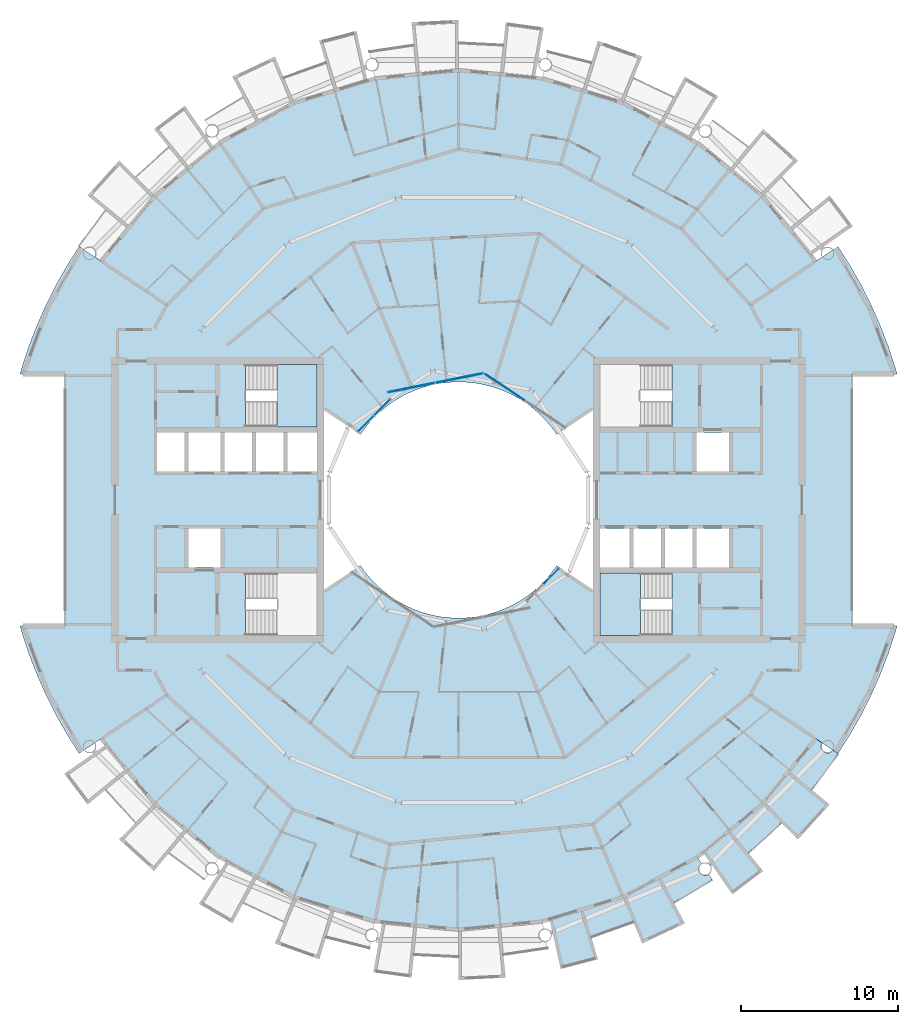
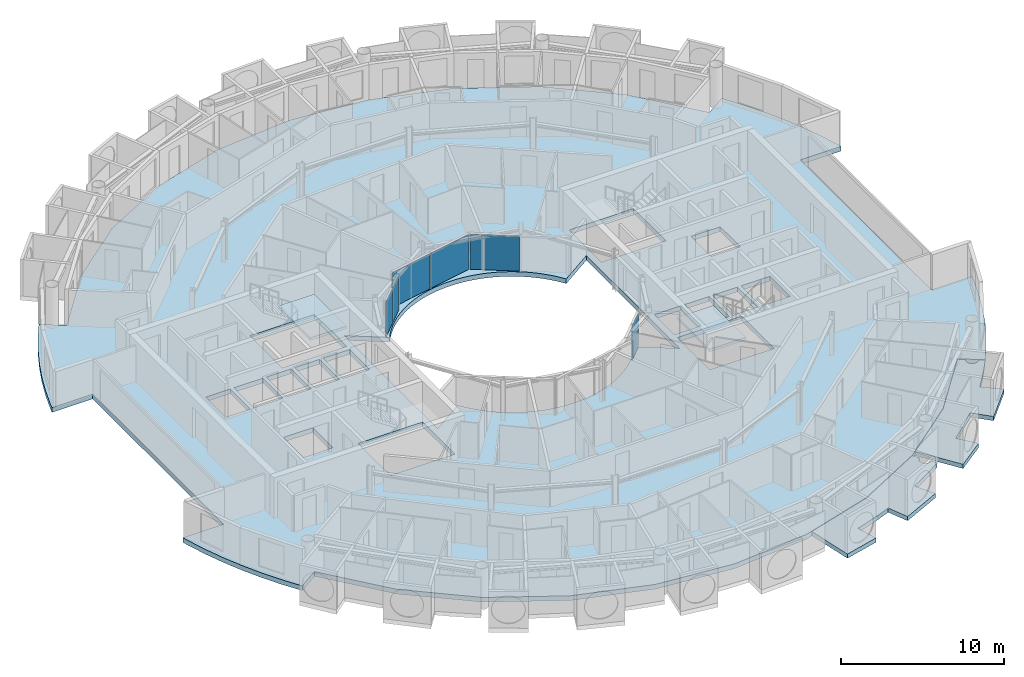
# One storey, part 12 of 29: 6 plates, 5 slabs, 6 elements without a shape of their own.
"""IFC4 building model written with IfcOpenShell, lengths in metres."""

import ifcopenshell
import ifcopenshell.guid

model = None  # the IFC model being written
_history = None  # IfcOwnerHistory: only IFC2X3 demands one
_inside = {}  # id of a spatial element -> (the spatial element, [elements in it])
_under = {}  # id of a project, library or spatial element -> (it, [spatial elements below it])
_declared = {}  # id of a project -> (the project, [libraries it declares])
_typed = {}  # id of a type object -> (the type object, [elements of that type])
_made_of = {}  # id of a material, layer set ... -> (it, [elements and type objects made of it])


def new_model(schema):
    """Start an empty IFC model of exactly this schema.

    Asked for "IFC4X3", IfcOpenShell would pick the latest addendum, in which some entities
    have other attributes; the version numbers below select the first issue.
    IFC2X3 requires an IfcOwnerHistory on every rooted entity: one is made here for all.
    """
    global model, _history
    if schema == "IFC4X3":
        model = ifcopenshell.file(schema_version=(4, 3, 0, 0))
    else:
        model = ifcopenshell.file(schema=schema)
    _inside.clear()
    _under.clear()
    _declared.clear()
    _typed.clear()
    _made_of.clear()
    _history = None
    if model.schema == "IFC2X3":
        org = make("IfcOrganization", Name="unknown")
        user = make(
            "IfcPersonAndOrganization",
            ThePerson=make("IfcPerson", FamilyName="unknown"),
            TheOrganization=org,
        )
        app = make(
            "IfcApplication",
            ApplicationDeveloper=org,
            Version="unknown",
            ApplicationFullName="unknown",
            ApplicationIdentifier="unknown",
        )
        _history = make(
            "IfcOwnerHistory",
            OwningUser=user,
            OwningApplication=app,
            ChangeAction="ADDED",
            CreationDate=0,
        )
    return model


def make(cls, **values):
    """One entity of the class cls with the attributes given. An attribute that is None is left unset."""
    return model.create_entity(
        cls, **{name: value for name, value in values.items() if value is not None}
    )


def rooted(cls, **values):
    """An entity with a GlobalId (a new one), such as an element, a storey or a relation."""
    return make(cls, GlobalId=ifcopenshell.guid.new(), OwnerHistory=_history, **values)


def si_unit(unit_type, name, prefix=None):
    """IfcSIUnit, for example si_unit("LENGTHUNIT", "METRE", prefix="MILLI")."""
    return make("IfcSIUnit", UnitType=unit_type, Prefix=prefix, Name=name)


def assignment(units):
    """IfcUnitAssignment: the units of a project."""
    return None if units is None else make("IfcUnitAssignment", Units=units)


def point(xyz):
    """IfcCartesianPoint."""
    return None if xyz is None else make("IfcCartesianPoint", Coordinates=xyz)


def direction(xyz):
    """IfcDirection."""
    return None if xyz is None else make("IfcDirection", DirectionRatios=xyz)


def frame(location, z_axis=None, x_axis=None):
    """IfcAxis2Placement3D, a coordinate frame: its origin and axes. An axis left out is left unset."""
    return make(
        "IfcAxis2Placement3D",
        Location=point(location),
        Axis=direction(z_axis),
        RefDirection=direction(x_axis),
    )


def frame_2d(location, x_axis=None):
    """IfcAxis2Placement2D, a coordinate frame in the plane: its origin and x axis."""
    return make(
        "IfcAxis2Placement2D", Location=point(location), RefDirection=direction(x_axis)
    )


def origin():
    """The frame at (0, 0, 0) with its axes left unset."""
    return frame((0.0, 0.0, 0.0))


def origin_2d():
    """The frame at (0, 0) in the plane with its x axis left unset."""
    return frame_2d((0.0, 0.0))


def place(relative_to, where):
    """IfcLocalPlacement: puts the frame where relative to a parent placement (None: the world)."""
    return make(
        "IfcLocalPlacement", PlacementRelTo=relative_to, RelativePlacement=where
    )


def context(
    kind, dimensions, precision=None, world=None, true_north=None, identifier=None
):
    """IfcGeometricRepresentationContext, for example the 3D "Model" context."""
    return make(
        "IfcGeometricRepresentationContext",
        ContextIdentifier=identifier,
        ContextType=kind,
        CoordinateSpaceDimension=dimensions,
        Precision=precision,
        WorldCoordinateSystem=world,
        TrueNorth=true_north,
    )


def subcontext(parent, identifier, kind, view, scale=None):
    """IfcGeometricRepresentationSubContext, for example "Body" below "Model"."""
    return make(
        "IfcGeometricRepresentationSubContext",
        ContextIdentifier=identifier,
        ContextType=kind,
        ParentContext=parent,
        TargetScale=scale,
        TargetView=view,
    )


def project(units=None, contexts=None):
    """IfcProject with its units and contexts."""
    return rooted(
        "IfcProject",
        Name="project",
        RepresentationContexts=contexts,
        UnitsInContext=assignment(units),
    )


def spatial(cls, under=None, at=None, **own):
    """A site, building, storey or space (cls), placed at a placement, below another one or the project."""
    s = rooted(cls, ObjectPlacement=at, **own)
    if under is not None:
        _under.setdefault(under.id(), (under, []))[1].append(s)
    return s


def polyline(points):
    """IfcPolyline through the points."""
    return make("IfcPolyline", Points=[point(p) for p in points])


def profile(cls, at=None, kind="AREA", **sizes):
    """A parametric profile (cls). Its sizes go by their IFC names, for example OverallWidth=200.0."""
    return make(cls, ProfileType=kind, Position=at, **sizes)


def rectangle(**sizes):
    """IfcRectangleProfileDef."""
    return profile("IfcRectangleProfileDef", **sizes)


def outline(outer, holes=None, kind="AREA"):
    """IfcArbitraryClosedProfileDef: a profile drawn as a closed curve; with holes, ...WithVoids."""
    if holes is None:
        return make("IfcArbitraryClosedProfileDef", ProfileType=kind, OuterCurve=outer)
    return make(
        "IfcArbitraryProfileDefWithVoids",
        ProfileType=kind,
        OuterCurve=outer,
        InnerCurves=holes,
    )


def extrude(swept, where, along, depth):
    """IfcExtrudedAreaSolid: the profile swept, set in the frame where, extruded along a direction by depth."""
    return make(
        "IfcExtrudedAreaSolid",
        SweptArea=swept,
        Position=where,
        ExtrudedDirection=direction(along),
        Depth=depth,
    )


def shape(context_of_items, identifier, shape_type, items):
    """IfcShapeRepresentation: the items that make up one representation, for example the "Body"."""
    return make(
        "IfcShapeRepresentation",
        ContextOfItems=context_of_items,
        RepresentationIdentifier=identifier,
        RepresentationType=shape_type,
        Items=items,
    )


def material(Name=None, Category=None):
    """IfcMaterial."""
    return make("IfcMaterial", Name=Name, Category=Category)


def layer(
    of_material, thickness, ventilated=None, Name=None, Category=None, Priority=None
):
    """IfcMaterialLayer: one layer of a wall or slab, of a material (None: an air gap)."""
    return make(
        "IfcMaterialLayer",
        Material=of_material,
        LayerThickness=thickness,
        IsVentilated=ventilated,
        Name=Name,
        Category=Category,
        Priority=Priority,
    )


def layer_set(layers, Name=None):
    """IfcMaterialLayerSet."""
    return make("IfcMaterialLayerSet", MaterialLayers=layers, LayerSetName=Name)


def made_of(thing, what):
    """Note that an element or type object is made of a material, layer set ...; save() writes the relation."""
    if what is not None:
        _made_of.setdefault(what.id(), (what, []))[1].append(thing)
    return thing


def type_object(cls, material=None, **own):
    """A type object (cls), such as IfcWallType, which elements share."""
    return made_of(rooted(cls, **own), material)


def element(
    cls,
    number,
    at=None,
    inside=None,
    cuts=None,
    type_object=None,
    material=None,
    context=None,
    identifier="Body",
    shape_type=None,
    held_by="IfcProductDefinitionShape",
    body=None,
    shapes=None,
    **own,
):
    """One element of the class cls, such as IfcWall. Its Tag is "e" and its number.

    at: its placement. inside: the storey or other place that contains it. cuts: it is an
    opening in that element (IfcRelVoidsElement). A single representation is given by context,
    identifier, shape_type and body (its items); several are given by shapes. held_by: the class
    of the entity that holds the representations. save() writes the other relations.
    """
    e = rooted(cls, Tag="e%d" % number, ObjectPlacement=at, **own)
    if body is not None:
        shapes = [shape(context, identifier, shape_type, body)]
    if shapes is not None:
        e.Representation = make(held_by, Representations=shapes)
    if inside is not None:
        _inside.setdefault(inside.id(), (inside, []))[1].append(e)
    if cuts is not None:
        rooted(
            "IfcRelVoidsElement", RelatingBuildingElement=cuts, RelatedOpeningElement=e
        )
    if type_object is not None:
        _typed.setdefault(type_object.id(), (type_object, []))[1].append(e)
    return made_of(e, material)


def aggregate(whole, parts):
    """IfcRelAggregates: a whole, such as a stair, and the parts it consists of."""
    return rooted("IfcRelAggregates", RelatingObject=whole, RelatedObjects=parts)


def save(model, path):
    """Write the relations noted so far, then the file.

    IfcRelAggregates (storeys below a building ...), IfcRelContainedInSpatialStructure (elements
    in a storey), IfcRelDefinesByType, IfcRelAssociatesMaterial and IfcRelDeclares: one each for
    every whole, place, type object, material and project.
    """
    for whole, parts in _under.values():
        aggregate(whole, parts)
    for where, things in _inside.values():
        rooted(
            "IfcRelContainedInSpatialStructure",
            RelatedElements=things,
            RelatingStructure=where,
        )
    for kind, things in _typed.values():
        rooted("IfcRelDefinesByType", RelatedObjects=things, RelatingType=kind)
    for what, things in _made_of.values():
        rooted("IfcRelAssociatesMaterial", RelatedObjects=things, RelatingMaterial=what)
    for by, libraries in _declared.values():
        rooted("IfcRelDeclares", RelatingContext=by, RelatedDefinitions=libraries)
    model.write(path)


model = new_model("IFC4")

# Units and contexts
model_context = context("Model", 3, precision=1e-05, world=origin(), true_north=direction((0.0, 1.0)))
body_context = subcontext(model_context, "Body", "Model", "MODEL_VIEW")
ifc_project = project(units=[si_unit("LENGTHUNIT", "METRE"), si_unit("AREAUNIT", "SQUARE_METRE"), si_unit("VOLUMEUNIT", "CUBIC_METRE"), si_unit("PLANEANGLEUNIT", "RADIAN"), si_unit("MASSUNIT", "GRAM", prefix="KILO")], contexts=[model_context])

# Site, building, storey
site_placement = place(None, origin())
site = spatial("IfcSite", under=ifc_project, at=site_placement, CompositionType="ELEMENT")
building_placement = place(site_placement, origin())
building = spatial("IfcBuilding", under=site, at=building_placement, Name="Maasbend Ring Residences", CompositionType="ELEMENT")
storey_placement = place(building_placement, frame((0.0, 0.0, 205.449951171875)))
storey = spatial("IfcBuildingStorey", under=building, at=storey_placement, Name="L59", CompositionType="ELEMENT", Elevation=205.449951171875)

# Stair, slab
ifc_material_1 = material(Name="Concrete C40/50", Category="concrete")
stair_type = type_object("IfcStairType", Name="CORE STAIR 18 RISERS", PredefinedType="HALF_TURN_STAIR", material=ifc_material_1)
stair_1_placement = place(storey_placement, origin())
stair_1 = element("IfcStair", 1, at=stair_1_placement, inside=storey, type_object=stair_type, Name="L59 Exit stair ST-E2", PredefinedType="HALF_TURN_STAIR")
ifc_material_2 = material(Name="Concrete C40/50", Category="concrete")
ifc_layer_1 = layer(ifc_material_2, 0.199951171875)
ifc_layer_set_1 = layer_set([ifc_layer_1], Name="Concrete C40/50")
slab_type_1 = type_object("IfcSlabType", Name="CORE STAIR LANDING 200", PredefinedType="LANDING", material=ifc_layer_set_1)
slab_1_placement = place(storey_placement, frame((0.0, 0.0, 1.324951171875)))
slab_1 = element("IfcSlab", 2, at=slab_1_placement, type_object=slab_type_1, Name="ST-E2 landing 1", PredefinedType="LANDING", context=body_context, shape_type="SweptSolid", body=[
    extrude(outline(polyline([(11.550048828125, -4.64990234375), (9.0, -4.64990234375), (9.0, -8.60009765625), (11.550048828125, -8.60009765625), (11.550048828125, -4.64990234375)])), origin(), (0.0, 0.0, 1.0), 0.2001953125),
])
aggregate(stair_1, [slab_1])

stair_2_placement = place(storey_placement, origin())
stair_2 = element("IfcStair", 3, at=stair_2_placement, inside=storey, type_object=stair_type, Name="L59 Exit stair ST-W2", PredefinedType="HALF_TURN_STAIR")
slab_2_placement = place(storey_placement, frame((0.0, 0.0, 1.324951171875)))
slab_2 = element("IfcSlab", 4, at=slab_2_placement, type_object=slab_type_1, Name="ST-W2 landing 1", PredefinedType="LANDING", context=body_context, shape_type="SweptSolid", body=[
    extrude(outline(polyline([(-11.550048828125, 4.64990234375), (-9.0, 4.64990234375), (-9.0, 8.60009765625), (-11.550048828125, 8.60009765625), (-11.550048828125, 4.64990234375)])), origin(), (0.0, 0.0, 1.0), 0.2001953125),
])
aggregate(stair_2, [slab_2])

# Curtain wall, plate
ifc_material_3 = material(Name="Aluminium and clear glass", Category="aluminium")
ifc_layer_2 = layer(ifc_material_3, 0.179931640625)
ifc_layer_set_2 = layer_set([ifc_layer_2], Name="CW-W")
curtain_wall_type = type_object("IfcCurtainWallType", Name="CW-W", PredefinedType="NOTDEFINED", material=ifc_layer_set_2)
curtain_wall_1_placement = place(storey_placement, origin())
curtain_wall_1 = element("IfcCurtainWall", 5, at=curtain_wall_1_placement, inside=storey, type_object=curtain_wall_type, Name="Well curtain wall N1", PredefinedType="NOTDEFINED")
ifc_material_4 = material(Name="Glass clear laminated", Category="glass")
ifc_layer_3 = layer(ifc_material_4, 0.031982421875)
ifc_layer_set_3 = layer_set([ifc_layer_3], Name="CWP-W")
plate_type = type_object("IfcPlateType", Name="CWP-W", PredefinedType="CURTAIN_PANEL", material=ifc_layer_set_3)
plate_1_placement = place(storey_placement, frame((2.922119140625, 7.17578125, 0.0), z_axis=(0.0, 0.0, 1.0), x_axis=(-0.831469612303, 0.55557023302, 0.0)))
plate_1 = element("IfcPlate", 6, at=plate_1_placement, type_object=plate_type, Name="Glass panel well face", PredefinedType="CURTAIN_PANEL", context=body_context, shape_type="SweptSolid", body=[
    extrude(rectangle(XDim=3.053955078125, YDim=0.031982421875, at=origin_2d()), origin(), (0.0, 0.0, 1.0), 2.580078125),
])
aggregate(curtain_wall_1, [plate_1])

# Curtain wall, plates
curtain_wall_2_placement = place(storey_placement, origin())
curtain_wall_2 = element("IfcCurtainWall", 7, at=curtain_wall_2_placement, inside=storey, type_object=curtain_wall_type, Name="Well curtain wall N2", PredefinedType="NOTDEFINED")
plate_2_placement = place(storey_placement, frame((0.04638671875, 7.747802734375, 0.0), z_axis=(0.0, 0.0, 1.0), x_axis=(-0.980785280403, -0.195090322016, 0.0)))
plate_2 = element("IfcPlate", 8, at=plate_2_placement, type_object=plate_type, Name="Glass panel well face", PredefinedType="CURTAIN_PANEL", context=body_context, shape_type="SweptSolid", body=[
    extrude(rectangle(XDim=3.053955078125, YDim=0.031982421875, at=origin_2d()), origin(), (0.0, 0.0, 1.0), 2.580078125),
])
plate_3_placement = place(storey_placement, frame((-3.0078125, 7.140380859375, 0.0), z_axis=(0.0, 0.0, 1.0), x_axis=(-0.980785280403, -0.195090322016, 0.0)))
plate_3 = element("IfcPlate", 9, at=plate_3_placement, type_object=plate_type, Name="Glass panel well face", PredefinedType="CURTAIN_PANEL", context=body_context, shape_type="SweptSolid", body=[
    extrude(rectangle(XDim=3.053955078125, YDim=0.031982421875, at=origin_2d()), origin(), (0.0, 0.0, 1.0), 2.580078125),
])
aggregate(curtain_wall_2, [plate_2, plate_3])

curtain_wall_3_placement = place(storey_placement, origin())
curtain_wall_3 = element("IfcCurtainWall", 10, at=curtain_wall_3_placement, inside=storey, type_object=curtain_wall_type, Name="Well curtain wall N3", PredefinedType="NOTDEFINED")
plate_4_placement = place(storey_placement, frame((-4.84375, 5.89013671875, 0.0), z_axis=(0.0, 0.0, 1.0), x_axis=(-0.707106781187, -0.707106781187, 0.0)))
plate_4 = element("IfcPlate", 11, at=plate_4_placement, type_object=plate_type, Name="Glass panel well face", PredefinedType="CURTAIN_PANEL", context=body_context, shape_type="SweptSolid", body=[
    extrude(rectangle(XDim=1.419677734375, YDim=0.031982421875, at=origin_2d()), origin(), (0.0, 0.0, 1.0), 2.580078125),
])
plate_5_placement = place(storey_placement, frame((-5.89013671875, 4.84375, 0.0), z_axis=(0.0, 0.0, 1.0), x_axis=(-0.707106781187, -0.707106781187, 0.0)))
plate_5 = element("IfcPlate", 12, at=plate_5_placement, type_object=plate_type, Name="Glass panel well face", PredefinedType="CURTAIN_PANEL", context=body_context, shape_type="SweptSolid", body=[
    extrude(rectangle(XDim=1.419677734375, YDim=0.031982421875, at=origin_2d()), origin(), (0.0, 0.0, 1.0), 2.580078125),
])
aggregate(curtain_wall_3, [plate_4, plate_5])

# Curtain wall, plate
curtain_wall_4_placement = place(storey_placement, origin())
curtain_wall_4 = element("IfcCurtainWall", 13, at=curtain_wall_4_placement, inside=storey, type_object=curtain_wall_type, Name="Well curtain wall S3", PredefinedType="NOTDEFINED")
plate_6_placement = place(storey_placement, frame((5.89013671875, -4.84375, 0.0), z_axis=(0.0, 0.0, 1.0), x_axis=(0.707106781187, 0.707106781187, 0.0)))
plate_6 = element("IfcPlate", 14, at=plate_6_placement, type_object=plate_type, Name="Glass panel well face", PredefinedType="CURTAIN_PANEL", context=body_context, shape_type="SweptSolid", body=[
    extrude(rectangle(XDim=1.419677734375, YDim=0.031982421875, at=origin_2d()), origin(), (0.0, 0.0, 1.0), 2.580078125),
])
aggregate(curtain_wall_4, [plate_6])

# Slabs
ifc_material_5 = material(Name="Concrete C40/50", Category="concrete")
ifc_layer_4 = layer(ifc_material_5, 0.35009765625)
ifc_layer_set_4 = layer_set([ifc_layer_4], Name="Concrete C40/50")
slab_type_2 = type_object("IfcSlabType", Name="Post-tensioned flat plate 350", PredefinedType="FLOOR", material=ifc_layer_set_4)
slab_3_placement = place(storey_placement, frame((0.0, 0.0, -0.349853515625)))
element("IfcSlab", 15, at=slab_3_placement, inside=storey, type_object=slab_type_2, Name="Floor slab L59", PredefinedType="FLOOR", context=body_context, shape_type="SweptSolid", body=[
    extrude(outline(polyline([(24.8740234375, -14.908935546875), (25.57568359375, -13.67041015625), (26.2158203125, -12.399169921875), (26.79248046875, -11.097900390625), (27.3046875, -9.769775390625), (27.751220703125, -8.418212890625), (27.866943359375, -8.0), (25.0, -8.0), (25.0, 8.0), (27.866943359375, 8.0), (27.751220703125, 8.418212890625), (27.3046875, 9.769775390625), (26.79248046875, 11.097900390625), (26.2158203125, 12.399169921875), (25.57568359375, 13.67041015625), (24.8740234375, 14.908935546875), (24.112548828125, 16.111572265625), (22.69921875, 15.1669921875), (19.303955078125, 19.303955078125), (15.1669921875, 22.69921875), (10.447265625, 25.221923828125), (5.325927734375, 26.775390625), (0.0, 27.300048828125), (-5.325927734375, 26.775390625), (-10.447265625, 25.221923828125), (-15.1669921875, 22.69921875), (-19.303955078125, 19.303955078125), (-22.69921875, 15.1669921875), (-24.112548828125, 16.111572265625), (-24.8740234375, 14.908935546875), (-25.57568359375, 13.67041015625), (-26.2158203125, 12.399169921875), (-26.79248046875, 11.097900390625), (-27.3046875, 9.769775390625), (-27.751220703125, 8.418212890625), (-27.866943359375, 8.0), (-25.0, 8.0), (-25.0, -8.0), (-27.866943359375, -8.0), (-27.751220703125, -8.418212890625), (-27.3046875, -9.769775390625), (-26.79248046875, -11.097900390625), (-26.2158203125, -12.399169921875), (-25.57568359375, -13.67041015625), (-24.8740234375, -14.908935546875), (-24.112548828125, -16.111572265625), (-22.69921875, -15.1669921875), (-19.303955078125, -19.303955078125), (-15.1669921875, -22.69921875), (-10.447265625, -25.221923828125), (-5.325927734375, -26.775390625), (0.0, -27.300048828125), (5.325927734375, -26.775390625), (10.447265625, -25.221923828125), (15.1669921875, -22.69921875), (19.303955078125, -19.303955078125), (22.69921875, -15.1669921875), (24.112548828125, -16.111572265625), (24.8740234375, -14.908935546875)]), holes=[polyline([(15.125, 1.824951171875), (15.125, 4.27490234375), (17.175048828125, 4.27490234375), (17.175048828125, 1.824951171875), (15.125, 1.824951171875)]), polyline([(15.125, -4.27490234375), (15.125, -1.824951171875), (17.175048828125, -1.824951171875), (17.175048828125, -4.27490234375), (15.125, -4.27490234375)]), polyline([(13.125, -4.27490234375), (13.125, -1.824951171875), (14.875, -1.824951171875), (14.875, -4.27490234375), (13.125, -4.27490234375)]), polyline([(13.550048828125, 8.60009765625), (13.550048828125, 4.64990234375), (9.0, 4.64990234375), (9.0, 8.60009765625), (13.550048828125, 8.60009765625)]), polyline([(13.550048828125, -4.64990234375), (13.550048828125, -8.60009765625), (9.0, -8.60009765625), (9.0, -4.64990234375), (13.550048828125, -4.64990234375)]), polyline([(11.125, -4.27490234375), (11.125, -1.824951171875), (12.875, -1.824951171875), (12.875, -4.27490234375), (11.125, -4.27490234375)]), polyline([(9.0, -4.27490234375), (9.0, -1.824951171875), (10.875, -1.824951171875), (10.875, -4.27490234375), (9.0, -4.27490234375)]), polyline([(6.024169921875, 4.4677734375), (6.236083984375, 4.166748046875), (8.550048828125, 5.712890625), (8.550048828125, -5.712890625), (6.236083984375, -4.166748046875), (6.024169921875, -4.4677734375), (5.797607421875, -4.7578125), (5.55712890625, -5.03662109375), (5.30322265625, -5.30322265625), (5.03662109375, -5.55712890625), (4.7578125, -5.797607421875), (4.4677734375, -6.024169921875), (4.166748046875, -6.236083984375), (3.855712890625, -6.43310546875), (3.535400390625, -6.614501953125), (3.206787109375, -6.77978515625), (2.8701171875, -6.92919921875), (2.526611328125, -7.0615234375), (2.177001953125, -7.177001953125), (1.822509765625, -7.275146484375), (1.463134765625, -7.35595703125), (1.1005859375, -7.418701171875), (0.735107421875, -7.4638671875), (0.367919921875, -7.490966796875), (0.0, -7.5), (-0.367919921875, -7.490966796875), (-0.735107421875, -7.4638671875), (-1.1005859375, -7.418701171875), (-1.463134765625, -7.35595703125), (-1.822509765625, -7.275146484375), (-2.177001953125, -7.177001953125), (-2.526611328125, -7.0615234375), (-2.8701171875, -6.92919921875), (-3.206787109375, -6.77978515625), (-3.535400390625, -6.614501953125), (-3.855712890625, -6.43310546875), (-4.166748046875, -6.236083984375), (-4.4677734375, -6.024169921875), (-4.7578125, -5.797607421875), (-5.03662109375, -5.55712890625), (-5.30322265625, -5.30322265625), (-5.55712890625, -5.03662109375), (-5.797607421875, -4.7578125), (-6.024169921875, -4.4677734375), (-6.236083984375, -4.166748046875), (-8.550048828125, -5.712890625), (-8.550048828125, 5.712890625), (-6.236083984375, 4.166748046875), (-6.024169921875, 4.4677734375), (-5.797607421875, 4.7578125), (-5.55712890625, 5.03662109375), (-5.30322265625, 5.30322265625), (-5.03662109375, 5.55712890625), (-4.7578125, 5.797607421875), (-4.4677734375, 6.024169921875), (-4.166748046875, 6.236083984375), (-3.855712890625, 6.43310546875), (-3.535400390625, 6.614501953125), (-3.206787109375, 6.77978515625), (-2.8701171875, 6.92919921875), (-2.526611328125, 7.0615234375), (-2.177001953125, 7.177001953125), (-1.822509765625, 7.275146484375), (-1.463134765625, 7.35595703125), (-1.1005859375, 7.418701171875), (-0.735107421875, 7.4638671875), (-0.367919921875, 7.490966796875), (0.0, 7.5), (0.367919921875, 7.490966796875), (0.735107421875, 7.4638671875), (1.1005859375, 7.418701171875), (1.463134765625, 7.35595703125), (1.822509765625, 7.275146484375), (2.177001953125, 7.177001953125), (2.526611328125, 7.0615234375), (2.8701171875, 6.92919921875), (3.206787109375, 6.77978515625), (3.535400390625, 6.614501953125), (3.855712890625, 6.43310546875), (4.166748046875, 6.236083984375), (4.4677734375, 6.024169921875), (4.7578125, 5.797607421875), (5.03662109375, 5.55712890625), (5.30322265625, 5.30322265625), (5.55712890625, 5.03662109375), (5.797607421875, 4.7578125), (6.024169921875, 4.4677734375)]), polyline([(-13.550048828125, 4.64990234375), (-13.550048828125, 8.60009765625), (-9.0, 8.60009765625), (-9.0, 4.64990234375), (-13.550048828125, 4.64990234375)]), polyline([(-9.0, -8.60009765625), (-13.550048828125, -8.60009765625), (-13.550048828125, -4.64990234375), (-9.0, -4.64990234375), (-9.0, -8.60009765625)]), polyline([(-9.0, 4.27490234375), (-9.0, 1.824951171875), (-10.875, 1.824951171875), (-10.875, 4.27490234375), (-9.0, 4.27490234375)]), polyline([(-11.125, 4.27490234375), (-11.125, 1.824951171875), (-12.875, 1.824951171875), (-12.875, 4.27490234375), (-11.125, 4.27490234375)]), polyline([(-13.125, 4.27490234375), (-13.125, 1.824951171875), (-14.875, 1.824951171875), (-14.875, 4.27490234375), (-13.125, 4.27490234375)]), polyline([(-15.125, 4.27490234375), (-15.125, 1.824951171875), (-17.175048828125, 1.824951171875), (-17.175048828125, 4.27490234375), (-15.125, 4.27490234375)]), polyline([(-15.125, -1.824951171875), (-15.125, -4.27490234375), (-17.175048828125, -4.27490234375), (-17.175048828125, -1.824951171875), (-15.125, -1.824951171875)]), polyline([(-17.425048828125, 4.27490234375), (-17.425048828125, 1.824951171875), (-19.14990234375, 1.824951171875), (-19.14990234375, 4.27490234375), (-17.425048828125, 4.27490234375)])]), origin(), (0.0, 0.0, 1.0), 0.349853515625),
])
ifc_material_6 = material(Name="Concrete C40/50", Category="concrete")
ifc_layer_5 = layer(ifc_material_6, 0.199951171875)
ifc_layer_set_5 = layer_set([ifc_layer_5], Name="Concrete C40/50")
slab_type_3 = type_object("IfcSlabType", Name="SL-LOGGIA", PredefinedType="FLOOR", material=ifc_layer_set_5)
slab_4_placement = place(storey_placement, frame((0.0, 0.0, -0.349853515625)))
element("IfcSlab", 16, at=slab_4_placement, inside=storey, type_object=slab_type_3, Name="Loggia floor 1", PredefinedType="FLOOR", context=body_context, shape_type="SweptSolid", body=[
    extrude(outline(polyline([(10.447021484375, -25.221923828125), (12.806884765625, -23.9609375), (15.1669921875, -22.698974609375), (15.1669921875, -22.698974609375), (15.1669921875, -22.698974609375), (15.44091796875, -23.10888671875), (15.43310546875, -23.114990234375), (15.425048828125, -23.12109375), (15.4169921875, -23.126953125), (15.408935546875, -23.133056640625), (15.402099609375, -23.139892578125), (15.39404296875, -23.14599609375), (15.386962890625, -23.153076171875), (15.3798828125, -23.159912109375), (15.373046875, -23.1669921875), (15.365966796875, -23.174072265625), (15.35888671875, -23.181884765625), (15.35302734375, -23.18994140625), (15.346923828125, -23.197021484375), (15.341064453125, -23.205078125), (15.3349609375, -23.212890625), (15.3291015625, -23.221923828125), (15.323974609375, -23.22998046875), (15.318115234375, -23.238037109375), (15.31298828125, -23.2470703125), (15.30908203125, -23.256103515625), (15.303955078125, -23.264892578125), (15.300048828125, -23.27392578125), (15.294921875, -23.282958984375), (15.2919921875, -23.2919921875), (15.2880859375, -23.301025390625), (15.283935546875, -23.31005859375), (15.281005859375, -23.320068359375), (15.278076171875, -23.3291015625), (15.27490234375, -23.339111328125), (15.27294921875, -23.34912109375), (15.27001953125, -23.35791015625), (15.26806640625, -23.367919921875), (15.26708984375, -23.3779296875), (15.264892578125, -23.387939453125), (15.263916015625, -23.39794921875), (15.262939453125, -23.407958984375), (15.261962890625, -23.4169921875), (15.260986328125, -23.427001953125), (15.260986328125, -23.43701171875), (15.260986328125, -23.447021484375), (15.260986328125, -23.45703125), (15.260986328125, -23.467041015625), (15.261962890625, -23.47705078125), (15.262939453125, -23.487060546875), (15.263916015625, -23.4970703125), (15.264892578125, -23.507080078125), (15.26708984375, -23.51708984375), (15.26806640625, -23.527099609375), (15.27001953125, -23.535888671875), (15.27294921875, -23.5458984375), (15.27490234375, -23.555908203125), (15.278076171875, -23.56494140625), (15.281005859375, -23.574951171875), (15.283935546875, -23.583984375), (15.2880859375, -23.593994140625), (15.2919921875, -23.60302734375), (15.294921875, -23.612060546875), (15.300048828125, -23.62109375), (15.303955078125, -23.6298828125), (15.30908203125, -23.638916015625), (15.31298828125, -23.64794921875), (15.318115234375, -23.656005859375), (15.323974609375, -23.6650390625), (15.3291015625, -23.673095703125), (15.3349609375, -23.680908203125), (15.341064453125, -23.68994140625), (15.346923828125, -23.697021484375), (15.35302734375, -23.705078125), (15.35888671875, -23.712890625), (15.365966796875, -23.719970703125), (15.373046875, -23.72802734375), (15.3798828125, -23.735107421875), (15.386962890625, -23.741943359375), (15.39404296875, -23.7490234375), (15.402099609375, -23.7548828125), (15.408935546875, -23.761962890625), (15.4169921875, -23.76806640625), (15.425048828125, -23.77392578125), (15.43310546875, -23.780029296875), (15.44091796875, -23.784912109375), (15.449951171875, -23.791015625), (15.4580078125, -23.7958984375), (15.467041015625, -23.801025390625), (15.47509765625, -23.805908203125), (15.48388671875, -23.81005859375), (15.492919921875, -23.81494140625), (15.501953125, -23.819091796875), (15.511962890625, -23.822998046875), (15.52099609375, -23.826904296875), (15.530029296875, -23.830078125), (15.5400390625, -23.8330078125), (15.549072265625, -23.8359375), (15.55908203125, -23.839111328125), (15.568115234375, -23.842041015625), (15.577880859375, -23.843994140625), (15.587890625, -23.845947265625), (15.597900390625, -23.847900390625), (15.60693359375, -23.85009765625), (15.616943359375, -23.85107421875), (15.626953125, -23.85205078125), (15.636962890625, -23.85302734375), (15.64697265625, -23.85302734375), (15.656982421875, -23.85400390625), (15.6669921875, -23.85400390625), (15.677001953125, -23.85400390625), (15.68701171875, -23.85302734375), (15.697021484375, -23.85302734375), (15.70703125, -23.85205078125), (15.717041015625, -23.85107421875), (15.72705078125, -23.85009765625), (15.737060546875, -23.847900390625), (15.74609375, -23.845947265625), (15.756103515625, -23.843994140625), (15.76611328125, -23.842041015625), (15.77587890625, -23.839111328125), (15.784912109375, -23.8359375), (15.794921875, -23.8330078125), (15.803955078125, -23.830078125), (15.81298828125, -23.826904296875), (15.822998046875, -23.822998046875), (15.83203125, -23.819091796875), (15.841064453125, -23.81494140625), (15.85009765625, -23.81005859375), (15.85888671875, -23.805908203125), (15.866943359375, -23.801025390625), (15.8759765625, -23.7958984375), (15.885009765625, -23.791015625), (15.89306640625, -23.784912109375), (16.112060546875, -24.113037109375), (16.112060546875, -24.113037109375), (16.112060546875, -24.113037109375), (15.31396484375, -24.626953125), (15.31396484375, -24.626953125), (14.5, -25.114990234375), (14.5, -25.114990234375), (13.6708984375, -25.574951171875), (13.6708984375, -25.575927734375), (13.6708984375, -25.575927734375), (13.6708984375, -25.575927734375), (13.6708984375, -25.575927734375), (13.6708984375, -25.575927734375), (13.6708984375, -25.575927734375), (13.6708984375, -25.575927734375), (13.6708984375, -25.575927734375), (13.6708984375, -25.575927734375), (13.6708984375, -25.575927734375), (13.6708984375, -25.575927734375), (13.6708984375, -25.575927734375), (13.6708984375, -25.575927734375), (13.6708984375, -25.575927734375), (13.6708984375, -25.575927734375), (13.6708984375, -25.575927734375), (14.3779296875, -26.89892578125), (14.3779296875, -26.89892578125), (14.3779296875, -26.89892578125), (11.672119140625, -28.177978515625), (11.672119140625, -28.177978515625), (11.672119140625, -28.177978515625), (11.097900390625, -26.79296875), (11.097900390625, -26.79296875), (11.097900390625, -26.79296875), (11.097900390625, -26.79296875), (11.097900390625, -26.79296875), (11.097900390625, -26.79296875), (11.097900390625, -26.79296875), (11.097900390625, -26.79296875), (11.097900390625, -26.79296875), (11.097900390625, -26.79296875), (11.097900390625, -26.79296875), (11.097900390625, -26.79296875), (11.097900390625, -26.79296875), (11.097900390625, -26.79296875), (11.096923828125, -26.79296875), (11.096923828125, -26.79296875), (11.096923828125, -26.79296875), (10.215087890625, -27.14111328125), (10.215087890625, -27.14111328125), (9.322021484375, -27.4609375), (9.322021484375, -27.4609375), (8.4189453125, -27.7509765625), (8.4189453125, -27.7509765625), (8.4189453125, -27.7509765625), (8.4189453125, -27.7509765625), (8.4189453125, -27.7509765625), (8.4189453125, -27.7509765625), (8.41796875, -27.7509765625), (8.41796875, -27.7509765625), (8.41796875, -27.7509765625), (8.41796875, -27.7509765625), (8.41796875, -27.7509765625), (8.41796875, -27.751953125), (8.41796875, -27.751953125), (8.41796875, -27.751953125), (8.41796875, -27.751953125), (8.41796875, -27.751953125), (8.41796875, -27.751953125), (8.85400390625, -29.18701171875), (8.85400390625, -29.18701171875), (8.85400390625, -29.18701171875), (6.487060546875, -29.802001953125), (6.487060546875, -29.802001953125), (6.487060546875, -29.802001953125), (5.797119140625, -26.633056640625), (5.797119140625, -26.633056640625), (5.797119140625, -26.633056640625), (7.886962890625, -25.9990234375), (10.447021484375, -25.221923828125), (10.447021484375, -25.221923828125), (10.447021484375, -25.221923828125)])), origin(), (0.0, 0.0, 1.0), 0.31982421875),
])
slab_5_placement = place(storey_placement, frame((0.0, 0.0, -0.349853515625)))
element("IfcSlab", 17, at=slab_5_placement, inside=storey, type_object=slab_type_3, Name="Loggia floor 4", PredefinedType="FLOOR", context=body_context, shape_type="SweptSolid", body=[
    extrude(outline(polyline([(19.303955078125, -19.303955078125), (21.001953125, -17.236083984375), (22.698974609375, -15.1669921875), (22.698974609375, -15.1669921875), (22.698974609375, -15.1669921875), (23.10888671875, -15.44091796875), (23.10888671875, -15.44091796875), (23.10400390625, -15.449951171875), (23.09912109375, -15.4580078125), (23.093994140625, -15.467041015625), (23.089111328125, -15.47509765625), (23.083984375, -15.48388671875), (23.080078125, -15.492919921875), (23.075927734375, -15.501953125), (23.072021484375, -15.511962890625), (23.068115234375, -15.52099609375), (23.06494140625, -15.530029296875), (23.06103515625, -15.5400390625), (23.05810546875, -15.549072265625), (23.055908203125, -15.55908203125), (23.052978515625, -15.568115234375), (23.051025390625, -15.577880859375), (23.049072265625, -15.587890625), (23.047119140625, -15.597900390625), (23.044921875, -15.60693359375), (23.0439453125, -15.616943359375), (23.04296875, -15.626953125), (23.0419921875, -15.636962890625), (23.041015625, -15.64697265625), (23.041015625, -15.656982421875), (23.041015625, -15.6669921875), (23.041015625, -15.677001953125), (23.041015625, -15.68701171875), (23.0419921875, -15.697021484375), (23.04296875, -15.70703125), (23.0439453125, -15.717041015625), (23.044921875, -15.72705078125), (23.047119140625, -15.737060546875), (23.049072265625, -15.74609375), (23.051025390625, -15.756103515625), (23.052978515625, -15.76611328125), (23.055908203125, -15.77587890625), (23.05810546875, -15.784912109375), (23.06103515625, -15.794921875), (23.06494140625, -15.803955078125), (23.068115234375, -15.81298828125), (23.072021484375, -15.822998046875), (23.075927734375, -15.83203125), (23.080078125, -15.841064453125), (23.083984375, -15.85009765625), (23.089111328125, -15.85888671875), (23.093994140625, -15.866943359375), (23.09912109375, -15.8759765625), (23.10400390625, -15.885009765625), (23.10888671875, -15.89306640625), (23.114990234375, -15.90087890625), (23.12109375, -15.908935546875), (23.126953125, -15.9169921875), (23.133056640625, -15.925048828125), (23.139892578125, -15.93310546875), (23.14599609375, -15.93994140625), (23.153076171875, -15.947021484375), (23.159912109375, -15.955078125), (23.1669921875, -15.9619140625), (23.174072265625, -15.968017578125), (23.181884765625, -15.97509765625), (23.18994140625, -15.98095703125), (23.197021484375, -15.988037109375), (23.205078125, -15.993896484375), (23.212890625, -15.9990234375), (23.221923828125, -16.0048828125), (23.22998046875, -16.010986328125), (23.238037109375, -16.01611328125), (23.2470703125, -16.02099609375), (23.256103515625, -16.02587890625), (23.264892578125, -16.030029296875), (23.27392578125, -16.034912109375), (23.282958984375, -16.0390625), (23.2919921875, -16.04296875), (23.301025390625, -16.0458984375), (23.31005859375, -16.050048828125), (23.320068359375, -16.052978515625), (23.3291015625, -16.055908203125), (23.339111328125, -16.05908203125), (23.34912109375, -16.06103515625), (23.35791015625, -16.06396484375), (23.367919921875, -16.06591796875), (23.3779296875, -16.068115234375), (23.387939453125, -16.069091796875), (23.39794921875, -16.071044921875), (23.407958984375, -16.072021484375), (23.4169921875, -16.072021484375), (23.427001953125, -16.072998046875), (23.43701171875, -16.072998046875), (23.447021484375, -16.073974609375), (23.45703125, -16.072998046875), (23.467041015625, -16.072998046875), (23.47705078125, -16.072021484375), (23.487060546875, -16.072021484375), (23.4970703125, -16.071044921875), (23.507080078125, -16.069091796875), (23.51708984375, -16.068115234375), (23.527099609375, -16.06591796875), (23.535888671875, -16.06396484375), (23.5458984375, -16.06103515625), (23.555908203125, -16.05908203125), (23.56494140625, -16.055908203125), (23.574951171875, -16.052978515625), (23.583984375, -16.050048828125), (23.593994140625, -16.0458984375), (23.60302734375, -16.04296875), (23.612060546875, -16.0390625), (23.62109375, -16.034912109375), (23.6298828125, -16.030029296875), (23.638916015625, -16.02587890625), (23.64794921875, -16.02099609375), (23.656005859375, -16.01611328125), (23.6650390625, -16.010986328125), (23.673095703125, -16.0048828125), (23.680908203125, -15.9990234375), (23.68994140625, -15.993896484375), (23.697021484375, -15.988037109375), (23.705078125, -15.98095703125), (23.712890625, -15.97509765625), (23.719970703125, -15.968017578125), (23.72802734375, -15.9619140625), (23.735107421875, -15.955078125), (23.741943359375, -15.947021484375), (23.7490234375, -15.93994140625), (23.7548828125, -15.93310546875), (23.761962890625, -15.925048828125), (23.76806640625, -15.9169921875), (23.77392578125, -15.908935546875), (23.780029296875, -15.90087890625), (23.784912109375, -15.89306640625), (23.784912109375, -15.89306640625), (24.113037109375, -16.112060546875), (24.113037109375, -16.112060546875), (24.113037109375, -16.112060546875), (23.572998046875, -16.89208984375), (23.572998046875, -16.89208984375), (23.007080078125, -17.654052734375), (23.007080078125, -17.654052734375), (22.41796875, -18.39697265625), (22.41796875, -18.39697265625), (22.41796875, -18.39697265625), (22.41796875, -18.39697265625), (22.41796875, -18.39697265625), (22.41796875, -18.39697265625), (22.41796875, -18.39697265625), (22.41796875, -18.39697265625), (22.41796875, -18.39697265625), (22.41796875, -18.39697265625), (22.41796875, -18.39697265625), (22.41796875, -18.39794921875), (22.41796875, -18.39794921875), (22.41796875, -18.39794921875), (22.41796875, -18.39794921875), (22.41796875, -18.39794921875), (22.41796875, -18.39794921875), (23.576904296875, -19.34912109375), (23.576904296875, -19.34912109375), (23.576904296875, -19.34912109375), (21.56689453125, -21.56689453125), (21.56689453125, -21.56689453125), (21.56689453125, -21.56689453125), (20.506103515625, -20.506103515625), (20.506103515625, -20.506103515625), (20.506103515625, -20.506103515625), (20.506103515625, -20.506103515625), (20.506103515625, -20.506103515625), (20.506103515625, -20.506103515625), (20.506103515625, -20.506103515625), (20.506103515625, -20.506103515625), (20.506103515625, -20.506103515625), (20.506103515625, -20.506103515625), (20.506103515625, -20.506103515625), (20.506103515625, -20.506103515625), (20.506103515625, -20.506103515625), (20.506103515625, -20.506103515625), (20.506103515625, -20.506103515625), (20.506103515625, -20.506103515625), (20.506103515625, -20.506103515625), (19.823974609375, -21.166015625), (19.823974609375, -21.166015625), (19.12109375, -21.802978515625), (19.12109375, -21.802978515625), (18.39794921875, -22.4169921875), (18.39794921875, -22.4169921875), (18.39794921875, -22.4169921875), (18.39794921875, -22.4169921875), (18.39794921875, -22.4169921875), (18.39794921875, -22.4169921875), (18.39794921875, -22.4169921875), (18.39794921875, -22.4169921875), (18.39794921875, -22.4169921875), (18.39794921875, -22.4169921875), (18.39794921875, -22.4169921875), (18.39794921875, -22.4169921875), (18.39794921875, -22.41796875), (18.39794921875, -22.41796875), (18.39794921875, -22.41796875), (18.39794921875, -22.41796875), (18.39794921875, -22.41796875), (19.34912109375, -23.576904296875), (19.34912109375, -23.576904296875), (19.34912109375, -23.576904296875), (17.39794921875, -25.051025390625), (17.39794921875, -25.051025390625), (17.39794921875, -25.051025390625), (15.547119140625, -22.386962890625), (15.547119140625, -22.386962890625), (15.547119140625, -22.386962890625), (17.236083984375, -21.001953125), (19.303955078125, -19.303955078125), (19.303955078125, -19.303955078125), (19.303955078125, -19.303955078125)])), origin(), (0.0, 0.0, 1.0), 0.31982421875),
])

save(model, "model.ifc")
